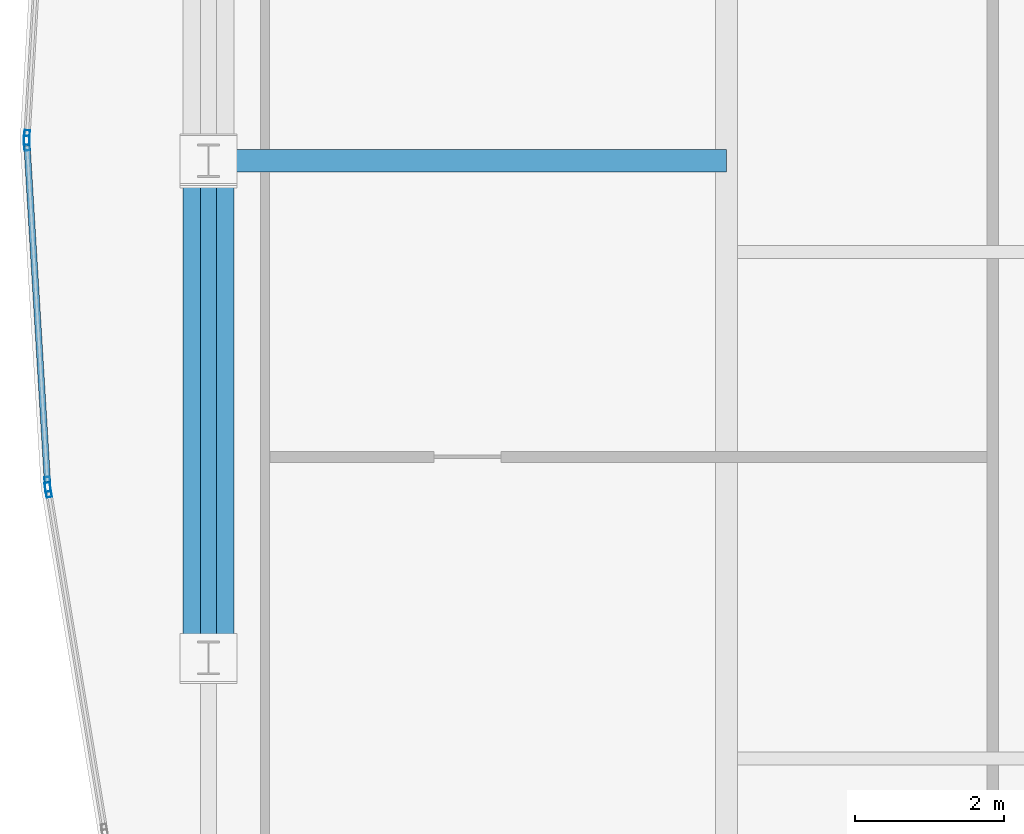
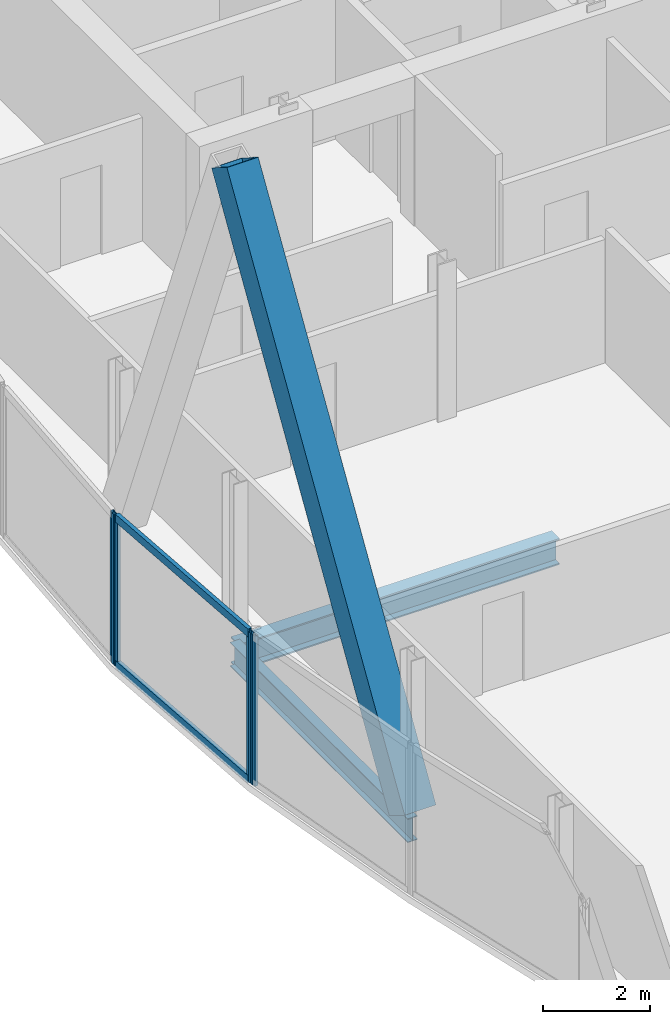
# One storey, part 11 of 31: 7 members, 2 beams, 3 elements without a shape of their own.
"""IFC4 building model written with IfcOpenShell, lengths in metres."""

from ifc_helpers import new_model, si_unit, direction, frame, origin, origin_2d, place, context, subcontext, project, spatial, hollow_rectangle, i_section, extrude, material, material_profile, profile_set, type_object, element, aggregate, save


model = new_model("IFC4")

# Units and contexts
model_context = context("Model", 3, precision=1e-05, world=origin(), true_north=direction((0.0, 1.0)))
body_context = subcontext(model_context, "Body", "Model", "MODEL_VIEW")
ifc_project = project(units=[si_unit("LENGTHUNIT", "METRE"), si_unit("AREAUNIT", "SQUARE_METRE"), si_unit("VOLUMEUNIT", "CUBIC_METRE"), si_unit("PLANEANGLEUNIT", "RADIAN"), si_unit("MASSUNIT", "GRAM", prefix="KILO")], contexts=[model_context])

# Site, building, storey
site_placement = place(None, origin())
site = spatial("IfcSite", under=ifc_project, at=site_placement, CompositionType="ELEMENT")
building_placement = place(site_placement, origin())
building = spatial("IfcBuilding", under=site, at=building_placement, Name="Khoronbel Lancet Exchange", CompositionType="ELEMENT")
storey_placement = place(building_placement, frame((0.0, 0.0, 325.39990234375)))
storey = spatial("IfcBuildingStorey", under=building, at=storey_placement, Name="L84", CompositionType="ELEMENT", Elevation=325.39990234375)

# Beams
ifc_material_1 = material(Name="Steel S355", Category="steel")
ifc_material_profile_1 = material_profile(ifc_material_1, i_section(OverallWidth=0.300048828125, OverallDepth=0.60009765625, WebThickness=0.015380859375, FlangeThickness=0.030029296875, at=origin_2d()), Name="HEB 600")
ifc_profile_set_1 = profile_set([ifc_material_profile_1], Name="Steel S355")
beam_type_1 = type_object("IfcBeamType", Name="BM-BG5", PredefinedType="BEAM", material=ifc_profile_set_1)
beam_1_placement = place(storey_placement, frame((11.27001953125, 31.425048828125, -0.4599609375), z_axis=(1.0, 0.0, 0.0), x_axis=(0.0, 1.0, 0.0)))
element("IfcBeam", 1, at=beam_1_placement, inside=storey, type_object=beam_type_1, Name="Level L84 west lens tie girder LG2W", PredefinedType="BEAM", context=body_context, shape_type="SweptSolid", body=[
    extrude(i_section(OverallWidth=0.300048828125, OverallDepth=0.60009765625, WebThickness=0.015380859375, FlangeThickness=0.030029296875, at=origin_2d()), origin(), (0.0, 0.0, 1.0), 6.955078125),
])
ifc_material_profile_2 = material_profile(ifc_material_1, i_section(OverallWidth=0.2099609375, OverallDepth=0.550048828125, WebThickness=0.010986328125, FlangeThickness=0.01708984375, at=origin_2d()), Name="IPE 550")
ifc_profile_set_2 = profile_set([ifc_material_profile_2], Name="Steel S355")
beam_type_2 = type_object("IfcBeamType", Name="BM-BSP3", PredefinedType="SPANDREL", material=ifc_profile_set_2)
beam_2_placement = place(storey_placement, frame((11.27001953125, 31.425048828125, -0.434814453125), z_axis=(0.0, -1.0, 0.0), x_axis=(1.0, 0.0, 0.0)))
element("IfcBeam", 2, at=beam_2_placement, inside=storey, type_object=beam_type_2, Name="Level L84 perimeter spandrel beam SP17", PredefinedType="SPANDREL", context=body_context, shape_type="SweptSolid", body=[
    extrude(i_section(OverallWidth=0.2099609375, OverallDepth=0.550048828125, WebThickness=0.010986328125, FlangeThickness=0.01708984375, at=origin_2d()), origin(), (0.0, 0.0, 1.0), 6.675048828125),
])

# Curtain wall, member
ifc_material_2 = material(Name="Low-E Solar Control Insulating Glass", Category="glass")
curtain_wall_type = type_object("IfcCurtainWallType", Name="CW-4", PredefinedType="NOTDEFINED", material=ifc_material_2)
curtain_wall_1_placement = place(storey_placement, origin())
curtain_wall_1 = element("IfcCurtainWall", 3, at=curtain_wall_1_placement, inside=storey, type_object=curtain_wall_type, Name="Unitised curtain wall CW-L84-E05", PredefinedType="NOTDEFINED")
ifc_material_3 = material(Name="Bronze-Anodised Aluminium 6063-T6", Category="aluminium")
ifc_material_profile_3 = material_profile(ifc_material_3, hollow_rectangle(XDim=0.074951171875, YDim=0.199951171875, WallThickness=0.0048828125, at=origin_2d()), Name="ALU MULLION 75x200")
ifc_profile_set_3 = profile_set([ifc_material_profile_3], Name="Bronze-Anodised Aluminium 6063-T6")
member_type_1 = type_object("IfcMemberType", Name="MEM-CWM2", PredefinedType="MULLION", material=ifc_profile_set_3)
member_1_placement = place(storey_placement, frame((9.11767578125, 27.00634765625, 0.0), z_axis=(0.0, 0.0, 1.0), x_axis=(-0.98657075141, -0.163334480321, 0.0)))
member_1 = element("IfcMember", 4, at=member_1_placement, type_object=member_type_1, Name="CW4 mullion 2", PredefinedType="MULLION", context=body_context, shape_type="SweptSolid", body=[
    extrude(hollow_rectangle(XDim=0.074951171875, YDim=0.199951171875, WallThickness=0.0048828125, at=origin_2d()), origin(), (0.0, 0.0, 1.0), 3.440185546875),
])
aggregate(curtain_wall_1, [member_1])

# Curtain wall, members
curtain_wall_2_placement = place(storey_placement, origin())
curtain_wall_2 = element("IfcCurtainWall", 5, at=curtain_wall_2_placement, inside=storey, type_object=curtain_wall_type, Name="Unitised curtain wall CW-L84-E06", PredefinedType="NOTDEFINED")
member_2_placement = place(storey_placement, frame((9.109375, 27.080810546875, 0.0), z_axis=(0.0, 0.0, 1.0), x_axis=(-0.998168731964, -0.060491177294, 0.0)))
member_2 = element("IfcMember", 6, at=member_2_placement, type_object=member_type_1, Name="CW4 mullion 1", PredefinedType="MULLION", context=body_context, shape_type="SweptSolid", body=[
    extrude(hollow_rectangle(XDim=0.074951171875, YDim=0.199951171875, WallThickness=0.0048828125, at=origin_2d()), origin(), (0.0, 0.0, 1.0), 3.440185546875),
])
member_3_placement = place(storey_placement, frame((8.831787109375, 31.66259765625, 0.0), z_axis=(0.0, 0.0, 1.0), x_axis=(-0.998168731964, -0.060491177294, 0.0)))
member_3 = element("IfcMember", 7, at=member_3_placement, type_object=member_type_1, Name="CW4 mullion 2", PredefinedType="MULLION", context=body_context, shape_type="SweptSolid", body=[
    extrude(hollow_rectangle(XDim=0.074951171875, YDim=0.199951171875, WallThickness=0.0048828125, at=origin_2d()), origin(), (0.0, 0.0, 1.0), 3.440185546875),
])

# Curtain wall, member
curtain_wall_3_placement = place(storey_placement, origin())
curtain_wall_3 = element("IfcCurtainWall", 8, at=curtain_wall_3_placement, inside=storey, type_object=curtain_wall_type, Name="Unitised curtain wall CW-L84-E07", PredefinedType="NOTDEFINED")
member_4_placement = place(storey_placement, frame((8.831787109375, 31.737548828125, 0.0), z_axis=(0.0, 0.0, 1.0), x_axis=(-0.998168731964, 0.060491177294, 0.0)))
member_4 = element("IfcMember", 9, at=member_4_placement, type_object=member_type_1, Name="CW4 mullion 1", PredefinedType="MULLION", context=body_context, shape_type="SweptSolid", body=[
    extrude(hollow_rectangle(XDim=0.074951171875, YDim=0.199951171875, WallThickness=0.0048828125, at=origin_2d()), origin(), (0.0, 0.0, 1.0), 3.440185546875),
])
aggregate(curtain_wall_3, [member_4])

# Member
ifc_material_profile_4 = material_profile(ifc_material_3, hollow_rectangle(XDim=0.0849609375, YDim=0.179931640625, WallThickness=0.0048828125, at=origin_2d()), Name="ALU TRANSOM 85x180")
ifc_profile_set_4 = profile_set([ifc_material_profile_4], Name="Bronze-Anodised Aluminium 6063-T6")
member_type_2 = type_object("IfcMemberType", Name="MEM-CWT1", PredefinedType="USERDEFINED", material=ifc_profile_set_4)
member_5_placement = place(storey_placement, frame((9.107177734375, 27.1181640625, 0.04248046875), z_axis=(-0.060503222693, 0.998168001913, 0.0), x_axis=(-0.998168001913, -0.060503222693, 0.0)))
member_5 = element("IfcMember", 10, at=member_5_placement, type_object=member_type_2, Name="CW4 transom 1.1", ObjectType="TRANSOM", PredefinedType="USERDEFINED", context=body_context, shape_type="SweptSolid", body=[
    extrude(hollow_rectangle(XDim=0.0849609375, YDim=0.179931640625, WallThickness=0.0048828125, at=origin_2d()), origin(), (0.0, 0.0, 1.0), 4.515380859375),
])

member_6_placement = place(storey_placement, frame((9.107177734375, 27.1181640625, 3.397705078125), z_axis=(-0.060503222693, 0.998168001913, 0.0), x_axis=(-0.998168001913, -0.060503222693, 0.0)))
member_6 = element("IfcMember", 11, at=member_6_placement, type_object=member_type_2, Name="CW4 transom 1.2", ObjectType="TRANSOM", PredefinedType="USERDEFINED", context=body_context, shape_type="SweptSolid", body=[
    extrude(hollow_rectangle(XDim=0.0849609375, YDim=0.179931640625, WallThickness=0.0048828125, at=origin_2d()), origin(), (0.0, 0.0, 1.0), 4.515380859375),
])

aggregate(curtain_wall_2, [member_2, member_3, member_5, member_6])

ifc_material_4 = material(Name="Steel S460", Category="steel")
ifc_material_profile_5 = material_profile(ifc_material_4, hollow_rectangle(XDim=0.679931640625, YDim=0.679931640625, WallThickness=0.044921875, at=origin_2d()), Name="BOX 680x680x45")
ifc_profile_set_5 = profile_set([ifc_material_profile_5], Name="Steel S460")
member_type_3 = type_object("IfcMemberType", Name="MEM-MB3", PredefinedType="BRACE", material=ifc_profile_set_5)
member_7_placement = place(storey_placement, frame((11.27001953125, 24.75, 0.0), z_axis=(0.0, 0.525745449971, 0.850641946906), x_axis=(-1.0, 0.0, 0.0)))
element("IfcMember", 12, at=member_7_placement, inside=storey, type_object=member_type_3, Name="Perimeter lancet brace tier 29 W-P-L", PredefinedType="BRACE", context=body_context, shape_type="SweptSolid", body=[
    extrude(hollow_rectangle(XDim=0.679931640625, YDim=0.679931640625, WallThickness=0.044921875, at=origin_2d()), origin(), (0.0, 0.0, 1.0), 12.6962890625),
])

save(model, "model.ifc")
